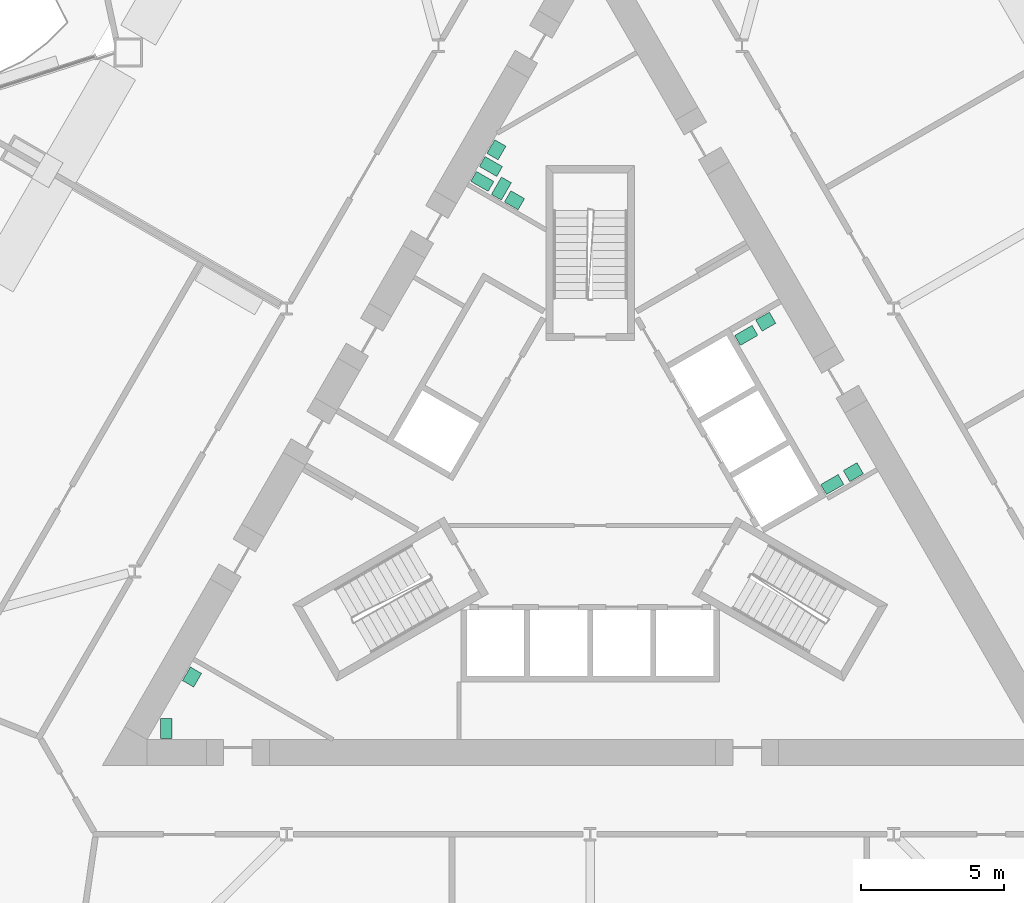
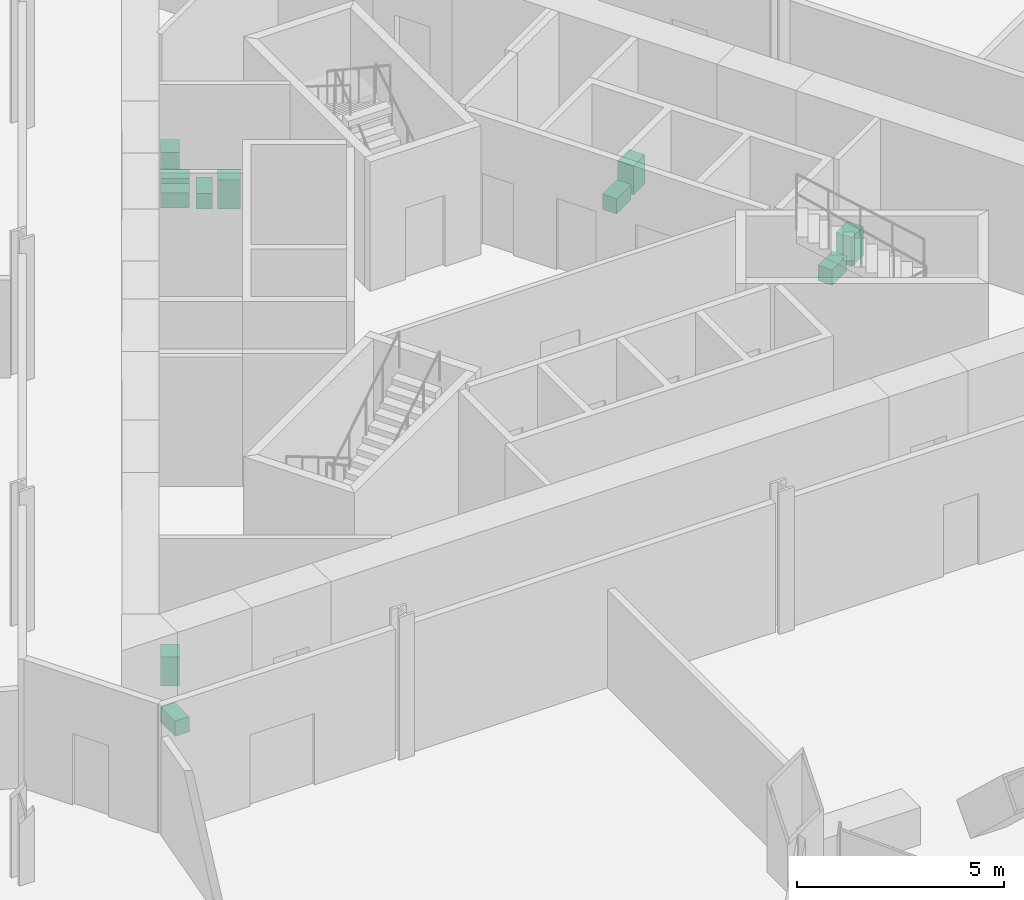
# One storey, part 21 of 22: 11 sanitary terminals.
"""IFC4 building model written with IfcOpenShell, lengths in metres."""

from ifc_helpers import new_model, si_unit, direction, frame, origin, origin_2d, place, context, subcontext, project, spatial, rectangle, extrude, material, type_object, element, save


model = new_model("IFC4")

# Units and contexts
model_context = context("Model", 3, precision=1e-05, world=origin(), true_north=direction((0.0, 1.0)))
body_context = subcontext(model_context, "Body", "Model", "MODEL_VIEW")
ifc_project = project(units=[si_unit("LENGTHUNIT", "METRE"), si_unit("AREAUNIT", "SQUARE_METRE"), si_unit("VOLUMEUNIT", "CUBIC_METRE"), si_unit("PLANEANGLEUNIT", "RADIAN"), si_unit("MASSUNIT", "GRAM", prefix="KILO")], contexts=[model_context])

# Site, building, storey
site_placement = place(None, origin())
site = spatial("IfcSite", under=ifc_project, at=site_placement, CompositionType="ELEMENT")
building_placement = place(site_placement, origin())
building = spatial("IfcBuilding", under=site, at=building_placement, Name="Cormorant Prow Tower", CompositionType="ELEMENT")
storey_placement = place(building_placement, frame((0.0, 0.0, 30.0)))
storey = spatial("IfcBuildingStorey", under=building, at=storey_placement, Name="L05", CompositionType="ELEMENT", Elevation=30.0)

# Sanitary terminals
ifc_material_1 = material(Name="Vitreous china")
sanitary_terminal_type_1 = type_object("IfcSanitaryTerminalType", Name="Wash basin 550x450", PredefinedType="WASHHANDBASIN", material=ifc_material_1)
for number, where, z_axis, x_axis, name in (
    (1, (-3.267578125, 11.640380859375, 0.0), (0.0, 0.0, 1.0), (-0.5, -0.866025403784, 0.0), "Wash basin"),
    (2, (-2.6376953125, 9.881103515625, 0.0), (0.0, 0.0, 1.0), (0.866016677006, -0.500015114919, 0.0), "Wash basin"),
    (3, (6.118896484375, 5.651611328125, 0.0), (0.0, 0.0, 1.0), (-0.866042856549, -0.499969769706, 0.0), "Wash basin"),
    (4, (9.172119140625, 0.405517578125, 0.0), (0.0, 0.0, 1.0), (0.866016677006, 0.500015114919, 0.0), "Wash basin"),
    (5, (-13.87548828125, -6.733154296875, 0.0), (0.0, 0.0, 1.0), (-0.5, -0.866025403784, 0.0), "Wash basin"),
):
    element("IfcSanitaryTerminal", number, at=place(storey_placement, frame(where, z_axis=z_axis, x_axis=x_axis)), inside=storey, type_object=sanitary_terminal_type_1, Name=name, PredefinedType="WASHHANDBASIN", context=body_context, shape_type="SweptSolid", body=[
        extrude(rectangle(XDim=0.550048828125, YDim=0.449951171875, at=origin_2d()), origin(), (0.0, 0.0, 1.0), 0.85009765625),
    ])
ifc_material_2 = material(Name="Vitreous china")
sanitary_terminal_type_2 = type_object("IfcSanitaryTerminalType", Name="Water closet 400x700", PredefinedType="WCSEAT", material=ifc_material_2)
for number, where, z_axis, x_axis, name in (
    (6, (-3.75927734375, 10.538818359375, 0.0), (0.0, 0.0, 1.0), (-0.5, -0.866025403784, 0.0), "Water closet"),
    (7, (-3.459228515625, 11.058349609375, 0.0), (0.0, 0.0, 1.0), (-0.5, -0.866025403784, 0.0), "Water closet"),
    (8, (-3.0947265625, 10.289306640625, 0.0), (0.0, 0.0, 1.0), (0.866016677006, -0.500015114919, 0.0), "Water closet"),
    (9, (8.4384765625, -0.02392578125, 0.0), (0.0, 0.0, 1.0), (0.5, -0.866025403784, 0.0), "Water closet"),
    (10, (5.438720703125, 5.172119140625, 0.0), (0.0, 0.0, 1.0), (0.5, -0.866025403784, 0.0), "Water closet"),
    (11, (-14.77197265625, -8.52490234375, 0.0), (0.0, 0.0, 1.0), (1.0, 0.0, 0.0), "Water closet"),
):
    element("IfcSanitaryTerminal", number, at=place(storey_placement, frame(where, z_axis=z_axis, x_axis=x_axis)), inside=storey, type_object=sanitary_terminal_type_2, Name=name, PredefinedType="WCSEAT", context=body_context, shape_type="SweptSolid", body=[
        extrude(rectangle(XDim=0.39990234375, YDim=0.699951171875, at=origin_2d()), origin(), (0.0, 0.0, 1.0), 0.449951171875),
    ])

save(model, "model.ifc")
